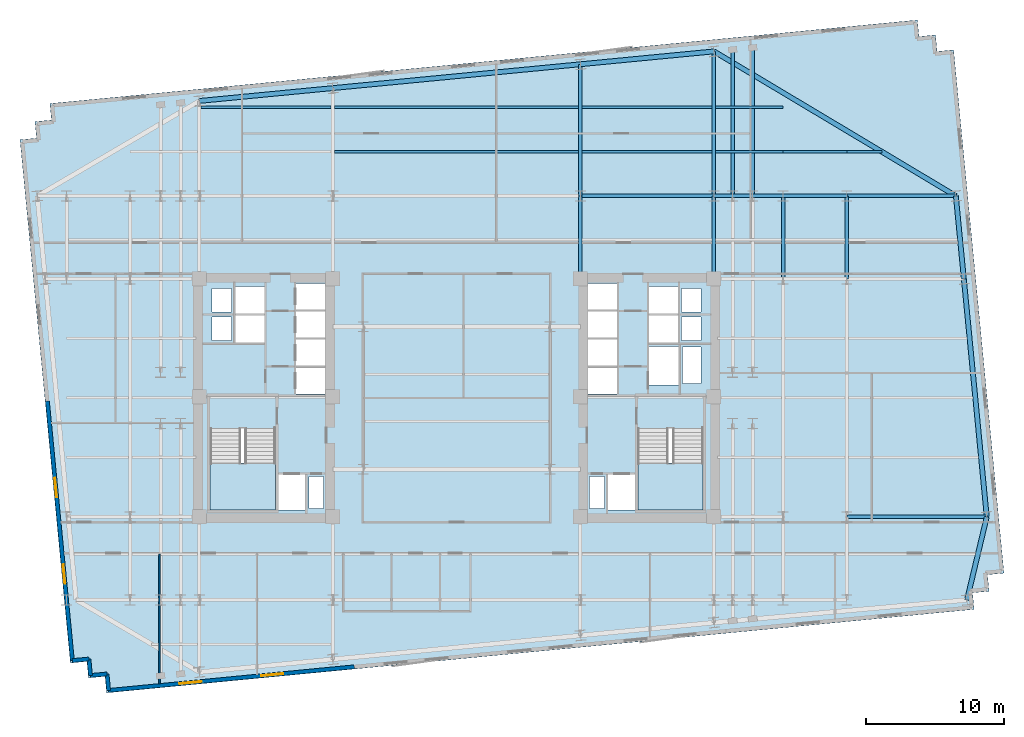
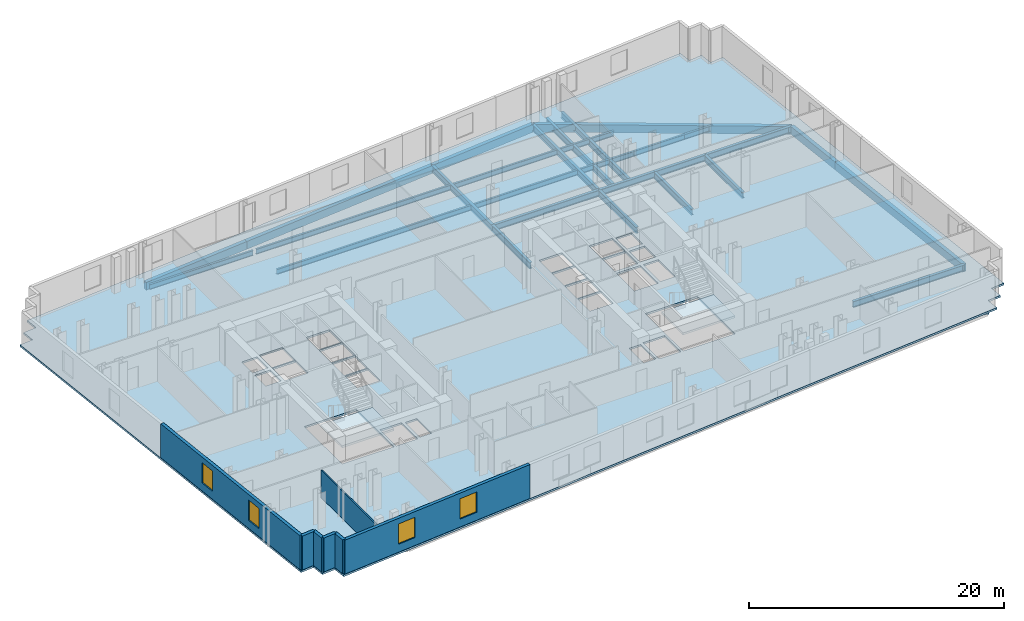
# One storey, part 3 of 10: 29 beams, 7 walls, 4 windows, 3 slabs, 4 openings, 2 elements without a shape of their own.
"""IFC4 building model written with IfcOpenShell, lengths in metres."""

from ifc_helpers import new_model, si_unit, direction, frame, frame_2d, origin, origin_2d, place, context, subcontext, project, spatial, polyline, rectangle, i_section, outline, extrude, material, layer, layer_set, material_profile, profile_set, type_object, element, fill, aggregate, save


model = new_model("IFC4")

# Units and contexts
model_context = context("Model", 3, precision=1e-05, world=origin(), true_north=direction((0.0, 1.0)))
body_context = subcontext(model_context, "Body", "Model", "MODEL_VIEW")
ifc_project = project(units=[si_unit("LENGTHUNIT", "METRE"), si_unit("AREAUNIT", "SQUARE_METRE"), si_unit("VOLUMEUNIT", "CUBIC_METRE"), si_unit("PLANEANGLEUNIT", "RADIAN"), si_unit("MASSUNIT", "GRAM", prefix="KILO")], contexts=[model_context])

# Site, building, storey
site_placement = place(None, origin())
site = spatial("IfcSite", under=ifc_project, at=site_placement, CompositionType="ELEMENT")
building_placement = place(site_placement, origin())
building = spatial("IfcBuilding", under=site, at=building_placement, Name="Velakula Bourse", CompositionType="ELEMENT")
storey_placement = place(building_placement, frame((0.0, 0.0, 94.89990234375)))
storey = spatial("IfcBuildingStorey", under=building, at=storey_placement, Name="L25", CompositionType="ELEMENT", Elevation=94.89990234375)

# Beams
ifc_material_1 = material(Name="Steel IS 2062 Grade 350 (E350)", Category="steel")
ifc_material_profile_1 = material_profile(ifc_material_1, i_section(OverallWidth=0.25, OverallDepth=0.60009765625, WebThickness=0.01171875, FlangeThickness=0.023681640625, at=origin_2d()), Name="Steel IS 2062 Grade 350 (E350)")
ifc_profile_set_1 = profile_set([ifc_material_profile_1], Name="Steel IS 2062 Grade 350 (E350)")
beam_type_1 = type_object("IfcBeamType", Name="BM-GRD-600H", PredefinedType="BEAM", material=ifc_profile_set_1)
for number, where, z_axis, x_axis, name in (
    (1, (8.949951171875, 8.60009765625, -0.47998046875), (0.0, 1.0, 0.0), (-1.0, 0.0, 0.0), "L25 Fulcrum Grid Girder FLC-ECN"),
    (2, (18.60009765625, 8.60009765625, -0.47998046875), (0.0, 1.0, 0.0), (-1.0, 0.0, 0.0), "L25 Fulcrum Grid Girder FLC-EN"),
):
    element("IfcBeam", number, at=place(storey_placement, frame(where, z_axis=z_axis, x_axis=x_axis)), inside=storey, type_object=beam_type_1, Name=name, PredefinedType="BEAM", context=body_context, shape_type="SweptSolid", body=[
        extrude(i_section(OverallWidth=0.25, OverallDepth=0.60009765625, WebThickness=0.01171875, FlangeThickness=0.023681640625, at=origin_2d()), origin(), (0.0, 0.0, 1.0), 6.0),
    ])
beam_1_placement = place(storey_placement, frame((8.949951171875, 14.60009765625, -0.47998046875), z_axis=(1.0, 0.0, 0.0), x_axis=(0.0, 1.0, 0.0)))
element("IfcBeam", 3, at=beam_1_placement, inside=storey, type_object=beam_type_1, Name="L25 Fulcrum Grid Girder FLC-N3", PredefinedType="BEAM", context=body_context, shape_type="SweptSolid", body=[
    extrude(i_section(OverallWidth=0.25, OverallDepth=0.60009765625, WebThickness=0.01171875, FlangeThickness=0.023681640625, at=origin_2d()), origin(), (0.0, 0.0, 1.0), 9.650146484375),
])
beam_2_placement = place(storey_placement, frame((18.60009765625, 14.60009765625, -0.47998046875), z_axis=(1.0, 0.0, 0.0), x_axis=(0.0, 1.0, 0.0)))
element("IfcBeam", 4, at=beam_2_placement, inside=storey, type_object=beam_type_1, Name="L25 Fulcrum Grid Girder MWG-EN2", PredefinedType="BEAM", context=body_context, shape_type="SweptSolid", body=[
    extrude(i_section(OverallWidth=0.25, OverallDepth=0.60009765625, WebThickness=0.01171875, FlangeThickness=0.023681640625, at=origin_2d()), origin(), (0.0, 0.0, 1.0), 5.0),
])
beam_3_placement = place(storey_placement, frame((23.60009765625, 8.60009765625, -0.47998046875), z_axis=(0.0, 1.0, 0.0), x_axis=(-1.0, 0.0, 0.0)))
element("IfcBeam", 5, at=beam_3_placement, inside=storey, type_object=beam_type_1, Name="L25 Fulcrum Grid Girder MWG-ENS3", PredefinedType="BEAM", context=body_context, shape_type="SweptSolid", body=[
    extrude(i_section(OverallWidth=0.25, OverallDepth=0.60009765625, WebThickness=0.01171875, FlangeThickness=0.023681640625, at=origin_2d()), origin(), (0.0, 0.0, 1.0), 6.0),
])
beam_4_placement = place(storey_placement, frame((23.60009765625, 14.60009765625, -0.47998046875), z_axis=(1.0, 0.0, 0.0), x_axis=(0.0, 1.0, 0.0)))
element("IfcBeam", 6, at=beam_4_placement, inside=storey, type_object=beam_type_1, Name="L25 Fulcrum Grid Girder WNG-EN2", PredefinedType="BEAM", context=body_context, shape_type="SweptSolid", body=[
    extrude(i_section(OverallWidth=0.25, OverallDepth=0.60009765625, WebThickness=0.01171875, FlangeThickness=0.023681640625, at=origin_2d()), origin(), (0.0, 0.0, 1.0), 4.599853515625),
])
beam_5_placement = place(storey_placement, frame((28.199951171875, 8.60009765625, -0.47998046875), z_axis=(0.0, 1.0, 0.0), x_axis=(-1.0, 0.0, 0.0)))
element("IfcBeam", 7, at=beam_5_placement, inside=storey, type_object=beam_type_1, Name="L25 Fulcrum Grid Girder WNG-ENS3", PredefinedType="BEAM", context=body_context, shape_type="SweptSolid", body=[
    extrude(i_section(OverallWidth=0.25, OverallDepth=0.60009765625, WebThickness=0.01171875, FlangeThickness=0.023681640625, at=origin_2d()), origin(), (0.0, 0.0, 1.0), 6.0),
])
beam_6_placement = place(storey_placement, frame((8.949951171875, 14.60009765625, -0.47998046875), z_axis=(0.0, 1.0, 0.0), x_axis=(-1.0, 0.0, 0.0)))
element("IfcBeam", 8, at=beam_6_placement, inside=storey, type_object=beam_type_1, Name="L25 Perimeter Tie Girder N3", PredefinedType="BEAM", context=body_context, shape_type="SweptSolid", body=[
    extrude(i_section(OverallWidth=0.25, OverallDepth=0.60009765625, WebThickness=0.01171875, FlangeThickness=0.023681640625, at=origin_2d()), origin(), (0.0, 0.0, 1.0), 9.521484375),
])
beam_7_placement = place(storey_placement, frame((18.60009765625, 14.60009765625, -0.47998046875), z_axis=(0.0, 1.0, 0.0), x_axis=(-1.0, 0.0, 0.0)))
element("IfcBeam", 9, at=beam_7_placement, inside=storey, type_object=beam_type_1, Name="L25 Perimeter Tie Girder N4", PredefinedType="BEAM", context=body_context, shape_type="SweptSolid", body=[
    extrude(i_section(OverallWidth=0.25, OverallDepth=0.60009765625, WebThickness=0.01171875, FlangeThickness=0.023681640625, at=origin_2d()), origin(), (0.0, 0.0, 1.0), 10.45068359375),
])
beam_8_placement = place(storey_placement, frame((28.199951171875, -8.60009765625, -0.47998046875), z_axis=(1.0, 0.0, 0.0), x_axis=(0.0, 1.0, 0.0)))
element("IfcBeam", 10, at=beam_8_placement, inside=storey, type_object=beam_type_1, Name="L25 Perimeter Tie Girder E2", PredefinedType="BEAM", context=body_context, shape_type="SweptSolid", body=[
    extrude(i_section(OverallWidth=0.25, OverallDepth=0.60009765625, WebThickness=0.01171875, FlangeThickness=0.023681640625, at=origin_2d()), origin(), (0.0, 0.0, 1.0), 10.119873046875),
])
beam_9_placement = place(storey_placement, frame((28.199951171875, 14.60009765625, -0.47998046875), z_axis=(1.0, 0.0, 0.0), x_axis=(0.0, 1.0, 0.0)))
element("IfcBeam", 11, at=beam_9_placement, inside=storey, type_object=beam_type_1, Name="L25 Perimeter Tie Girder E4", PredefinedType="BEAM", context=body_context, shape_type="SweptSolid", body=[
    extrude(i_section(OverallWidth=0.25, OverallDepth=0.60009765625, WebThickness=0.01171875, FlangeThickness=0.023681640625, at=origin_2d()), origin(), (0.0, 0.0, 1.0), 7.885986328125),
])
beam_10_placement = place(storey_placement, frame((19.949951171875, 14.60009765625, -0.47998046875), z_axis=(0.0, 1.0, 0.0), x_axis=(-1.0, 0.0, 0.0)))
element("IfcBeam", 12, at=beam_10_placement, inside=storey, type_object=beam_type_1, Name="L25 Perimeter Tie Girder P07", PredefinedType="BEAM", context=body_context, shape_type="SweptSolid", body=[
    extrude(i_section(OverallWidth=0.25, OverallDepth=0.60009765625, WebThickness=0.01171875, FlangeThickness=0.023681640625, at=origin_2d()), origin(), (0.0, 0.0, 1.0), 10.580810546875),
])
beam_11_placement = place(storey_placement, frame((21.39990234375, 14.60009765625, -0.47998046875), z_axis=(0.0, 1.0, 0.0), x_axis=(-1.0, 0.0, 0.0)))
element("IfcBeam", 13, at=beam_11_placement, inside=storey, type_object=beam_type_1, Name="L25 Perimeter Tie Girder P08", PredefinedType="BEAM", context=body_context, shape_type="SweptSolid", body=[
    extrude(i_section(OverallWidth=0.25, OverallDepth=0.60009765625, WebThickness=0.01171875, FlangeThickness=0.023681640625, at=origin_2d()), origin(), (0.0, 0.0, 1.0), 10.720458984375),
])
ifc_material_profile_2 = material_profile(ifc_material_1, i_section(OverallWidth=0.179931640625, OverallDepth=0.5, WebThickness=0.01025390625, FlangeThickness=0.01708984375, at=origin_2d()), Name="Steel IS 2062 Grade 350 (E350)")
ifc_profile_set_2 = profile_set([ifc_material_profile_2], Name="Steel IS 2062 Grade 350 (E350)")
beam_type_2 = type_object("IfcBeamType", Name="JST-TWR-500", PredefinedType="JOIST", material=ifc_profile_set_2)
beam_12_placement = place(storey_placement, frame((-8.824951171875, 17.800048828125, -0.429931640625), z_axis=(1.0, 0.0, 0.0), x_axis=(0.0, 1.0, 0.0)))
element("IfcBeam", 14, at=beam_12_placement, inside=storey, type_object=beam_type_2, Name="L25 Trading Floor Composite Joist 22", PredefinedType="JOIST", context=body_context, shape_type="SweptSolid", body=[
    extrude(i_section(OverallWidth=0.179931640625, OverallDepth=0.5, WebThickness=0.01025390625, FlangeThickness=0.01708984375, at=origin_2d()), origin(), (0.0, 0.0, 1.0), 17.64990234375),
])
beam_13_placement = place(storey_placement, frame((9.074951171875, 17.800048828125, -0.429931640625), z_axis=(1.0, 0.0, 0.0), x_axis=(0.0, 1.0, 0.0)))
element("IfcBeam", 15, at=beam_13_placement, inside=storey, type_object=beam_type_2, Name="L25 Trading Floor Composite Joist 23", PredefinedType="JOIST", context=body_context, shape_type="SweptSolid", body=[
    extrude(i_section(OverallWidth=0.179931640625, OverallDepth=0.5, WebThickness=0.01025390625, FlangeThickness=0.01708984375, at=origin_2d()), origin(), (0.0, 0.0, 1.0), 9.400146484375),
])
beam_14_placement = place(storey_placement, frame((18.72509765625, 17.800048828125, -0.429931640625), z_axis=(1.0, 0.0, 0.0), x_axis=(0.0, 1.0, 0.0)))
element("IfcBeam", 16, at=beam_14_placement, inside=storey, type_object=beam_type_2, Name="L25 Trading Floor Composite Joist 24", PredefinedType="JOIST", context=body_context, shape_type="SweptSolid", body=[
    extrude(i_section(OverallWidth=0.179931640625, OverallDepth=0.5, WebThickness=0.01025390625, FlangeThickness=0.01708984375, at=origin_2d()), origin(), (0.0, 0.0, 1.0), 4.875),
])
beam_15_placement = place(storey_placement, frame((23.60009765625, 17.800048828125, -0.429931640625), z_axis=(1.0, 0.0, 0.0), x_axis=(0.0, 1.0, 0.0)))
element("IfcBeam", 17, at=beam_15_placement, inside=storey, type_object=beam_type_2, Name="L25 Trading Floor Composite Joist 25", PredefinedType="JOIST", context=body_context, shape_type="SweptSolid", body=[
    extrude(i_section(OverallWidth=0.179931640625, OverallDepth=0.5, WebThickness=0.01025390625, FlangeThickness=0.01708984375, at=origin_2d()), origin(), (0.0, 0.0, 1.0), 4.599853515625),
])
beam_16_placement = place(storey_placement, frame((28.199951171875, 17.800048828125, -0.429931640625), z_axis=(1.0, 0.0, 0.0), x_axis=(0.0, 1.0, 0.0)))
element("IfcBeam", 18, at=beam_16_placement, inside=storey, type_object=beam_type_2, Name="L25 Trading Floor Composite Joist 26", PredefinedType="JOIST", context=body_context, shape_type="SweptSolid", body=[
    extrude(i_section(OverallWidth=0.179931640625, OverallDepth=0.5, WebThickness=0.01025390625, FlangeThickness=0.01708984375, at=origin_2d()), origin(), (0.0, 0.0, 1.0), 2.53173828125),
])
beam_17_placement = place(storey_placement, frame((-18.47509765625, 21.0, -0.429931640625), z_axis=(1.0, 0.0, 0.0), x_axis=(0.0, 1.0, 0.0)))
element("IfcBeam", 19, at=beam_17_placement, inside=storey, type_object=beam_type_2, Name="L25 Trading Floor Composite Joist 27", PredefinedType="JOIST", context=body_context, shape_type="SweptSolid", body=[
    extrude(i_section(OverallWidth=0.179931640625, OverallDepth=0.5, WebThickness=0.01025390625, FlangeThickness=0.01708984375, at=origin_2d()), origin(), (0.0, 0.0, 1.0), 9.400146484375),
])
beam_18_placement = place(storey_placement, frame((-8.824951171875, 21.0, -0.429931640625), z_axis=(1.0, 0.0, 0.0), x_axis=(0.0, 1.0, 0.0)))
element("IfcBeam", 20, at=beam_18_placement, inside=storey, type_object=beam_type_2, Name="L25 Trading Floor Composite Joist 28", PredefinedType="JOIST", context=body_context, shape_type="SweptSolid", body=[
    extrude(i_section(OverallWidth=0.179931640625, OverallDepth=0.5, WebThickness=0.01025390625, FlangeThickness=0.01708984375, at=origin_2d()), origin(), (0.0, 0.0, 1.0), 17.64990234375),
])
beam_19_placement = place(storey_placement, frame((9.074951171875, 21.0, -0.429931640625), z_axis=(1.0, 0.0, 0.0), x_axis=(0.0, 1.0, 0.0)))
element("IfcBeam", 21, at=beam_19_placement, inside=storey, type_object=beam_type_2, Name="L25 Trading Floor Composite Joist 29", PredefinedType="JOIST", context=body_context, shape_type="SweptSolid", body=[
    extrude(i_section(OverallWidth=0.179931640625, OverallDepth=0.5, WebThickness=0.01025390625, FlangeThickness=0.01708984375, at=origin_2d()), origin(), (0.0, 0.0, 1.0), 9.400146484375),
])
beam_20_placement = place(storey_placement, frame((18.72509765625, 21.0, -0.429931640625), z_axis=(1.0, 0.0, 0.0), x_axis=(0.0, 1.0, 0.0)))
element("IfcBeam", 22, at=beam_20_placement, inside=storey, type_object=beam_type_2, Name="L25 Trading Floor Composite Joist 30", PredefinedType="JOIST", context=body_context, shape_type="SweptSolid", body=[
    extrude(i_section(OverallWidth=0.179931640625, OverallDepth=0.5, WebThickness=0.01025390625, FlangeThickness=0.01708984375, at=origin_2d()), origin(), (0.0, 0.0, 1.0), 4.875),
])
ifc_material_2 = material(Name="Precast concrete M45 (fck 45 MPa)", Category="concrete")
ifc_material_profile_3 = material_profile(ifc_material_2, rectangle(XDim=0.35009765625, YDim=0.75, at=origin_2d()), Name="Precast concrete M45 (fck 45 MPa)")
ifc_profile_set_3 = profile_set([ifc_material_profile_3], Name="Precast concrete M45 (fck 45 MPa)")
beam_type_3 = type_object("IfcBeamType", Name="SPN-BRICK-750", PredefinedType="SPANDREL", material=ifc_profile_set_3)
beam_21_placement = place(storey_placement, frame((-18.60009765625, 21.468994140625, -0.554931640625), z_axis=(0.99539623971, 0.095845323155, 0.0), x_axis=(-0.095845323155, 0.99539623971, 0.0)))
element("IfcBeam", 23, at=beam_21_placement, inside=storey, type_object=beam_type_3, Name="L25 Brick-Faced Precast Spandrel N1-N2", PredefinedType="SPANDREL", context=body_context, shape_type="SweptSolid", body=[
    extrude(rectangle(XDim=0.35009765625, YDim=0.75, at=origin_2d()), origin(), (0.0, 0.0, 1.0), 9.69482421875),
])
beam_22_placement = place(storey_placement, frame((-8.949951171875, 22.398193359375, -0.554931640625), z_axis=(0.995397131467, 0.095836061418, 0.0), x_axis=(-0.095836061418, 0.995397131467, 0.0)))
element("IfcBeam", 24, at=beam_22_placement, inside=storey, type_object=beam_type_3, Name="L25 Brick-Faced Precast Spandrel N2-N3", PredefinedType="SPANDREL", context=body_context, shape_type="SweptSolid", body=[
    extrude(rectangle(XDim=0.35009765625, YDim=0.75, at=origin_2d()), origin(), (0.0, 0.0, 1.0), 17.982666015625),
])
beam_23_placement = place(storey_placement, frame((8.949951171875, 24.12158203125, -0.554931640625), z_axis=(0.99539623971, 0.095845323155, 0.0), x_axis=(-0.095845323155, 0.99539623971, 0.0)))
element("IfcBeam", 25, at=beam_23_placement, inside=storey, type_object=beam_type_3, Name="L25 Brick-Faced Precast Spandrel N3-N4", PredefinedType="SPANDREL", context=body_context, shape_type="SweptSolid", body=[
    extrude(rectangle(XDim=0.35009765625, YDim=0.75, at=origin_2d()), origin(), (0.0, 0.0, 1.0), 9.69482421875),
])
beam_24_placement = place(storey_placement, frame((36.88818359375, -14.60009765625, -0.554931640625), z_axis=(0.232091371601, 0.972693988482, 0.0), x_axis=(-0.972693988482, 0.232091371601, 0.0)))
element("IfcBeam", 26, at=beam_24_placement, inside=storey, type_object=beam_type_3, Name="L25 Brick-Faced Precast Spandrel E1-E2", PredefinedType="SPANDREL", context=body_context, shape_type="SweptSolid", body=[
    extrude(rectangle(XDim=0.35009765625, YDim=0.75, at=origin_2d()), origin(), (0.0, 0.0, 1.0), 6.16845703125),
])
beam_25_placement = place(storey_placement, frame((38.31982421875, -8.60009765625, -0.554931640625), z_axis=(-0.095849167925, 0.995395869495, 0.0), x_axis=(-0.995395869495, -0.095849167925, 0.0)))
element("IfcBeam", 27, at=beam_25_placement, inside=storey, type_object=beam_type_3, Name="L25 Brick-Faced Precast Spandrel E2-E3", PredefinedType="SPANDREL", context=body_context, shape_type="SweptSolid", body=[
    extrude(rectangle(XDim=0.35009765625, YDim=0.75, at=origin_2d()), origin(), (0.0, 0.0, 1.0), 17.27978515625),
])
beam_26_placement = place(storey_placement, frame((36.66357421875, 8.60009765625, -0.554931640625), z_axis=(-0.095829714309, 0.995397742541, 0.0), x_axis=(-0.995397742541, -0.095829714309, 0.0)))
element("IfcBeam", 28, at=beam_26_placement, inside=storey, type_object=beam_type_3, Name="L25 Brick-Faced Precast Spandrel E3-E4", PredefinedType="SPANDREL", context=body_context, shape_type="SweptSolid", body=[
    extrude(rectangle(XDim=0.35009765625, YDim=0.75, at=origin_2d()), origin(), (0.0, 0.0, 1.0), 6.02783203125),
])
beam_27_placement = place(storey_placement, frame((36.0859375, 14.60009765625, -0.554931640625), z_axis=(-0.858375715449, 0.513021569846, 0.0), x_axis=(-0.513021569846, -0.858375715449, 0.0)))
element("IfcBeam", 29, at=beam_27_placement, inside=storey, type_object=beam_type_3, Name="L25 Brick-Faced Precast Spandrel E4-N4", PredefinedType="SPANDREL", context=body_context, shape_type="SweptSolid", body=[
    extrude(rectangle(XDim=0.35009765625, YDim=0.75, at=origin_2d()), origin(), (0.0, 0.0, 1.0), 20.370849609375),
])

# Stair, slab
ifc_material_3 = material(Name="Concrete M45 (fck 45 MPa)", Category="concrete")
stair_type = type_object("IfcStairType", Name="STR-DOG-390", PredefinedType="HALF_TURN_STAIR", material=ifc_material_3)
stair_1_placement = place(storey_placement, origin())
stair_1 = element("IfcStair", 30, at=stair_1_placement, inside=storey, type_object=stair_type, Name="L25 West Core Exit Stair ST-W1", PredefinedType="HALF_TURN_STAIR")
ifc_layer_1 = layer(ifc_material_3, 0.199951171875, Name="Concrete M45 (fck 45 MPa)", Category="concrete")
ifc_layer_set_1 = layer_set([ifc_layer_1], Name="Concrete M45 (fck 45 MPa)")
slab_type_1 = type_object("IfcSlabType", Name="SLB-STAIR-LND-200", PredefinedType="LANDING", material=ifc_layer_set_1)
slab_1_placement = place(storey_placement, frame((0.0, 0.0, 1.525146484375)))
slab_1 = element("IfcSlab", 31, at=slab_1_placement, type_object=slab_type_1, Name="ST-W1 landing 1", PredefinedType="LANDING", context=body_context, shape_type="SweptSolid", body=[
    extrude(outline(polyline([(-17.820068359375, -4.719970703125), (-17.820068359375, -8.10009765625), (-13.10009765625, -8.10009765625), (-13.10009765625, -4.719970703125), (-17.820068359375, -4.719970703125)])), origin(), (0.0, 0.0, 1.0), 0.199951171875),
])
aggregate(stair_1, [slab_1])

stair_2_placement = place(storey_placement, origin())
stair_2 = element("IfcStair", 32, at=stair_2_placement, inside=storey, type_object=stair_type, Name="L25 East Core Exit Stair ST-E1", PredefinedType="HALF_TURN_STAIR")
slab_2_placement = place(storey_placement, frame((0.0, 0.0, 1.525146484375)))
slab_2 = element("IfcSlab", 33, at=slab_2_placement, type_object=slab_type_1, Name="ST-E1 landing 1", PredefinedType="LANDING", context=body_context, shape_type="SweptSolid", body=[
    extrude(outline(polyline([(13.10009765625, -4.719970703125), (13.10009765625, -8.10009765625), (17.820068359375, -8.10009765625), (17.820068359375, -4.719970703125), (13.10009765625, -4.719970703125)])), origin(), (0.0, 0.0, 1.0), 0.199951171875),
])
aggregate(stair_2, [slab_2])

# Slab
ifc_material_4 = material(Name="Concrete M50 (fck 50 MPa)", Category="concrete")
ifc_layer_2 = layer(ifc_material_4, 0.179931640625, Name="Concrete M50 (fck 50 MPa)", Category="concrete")
ifc_layer_set_2 = layer_set([ifc_layer_2], Name="Concrete M50 (fck 50 MPa)")
slab_type_2 = type_object("IfcSlabType", Name="SLB-TWR-180", PredefinedType="FLOOR", material=ifc_layer_set_2)
slab_3_placement = place(storey_placement, frame((0.0, 0.0, -0.179931640625)))
element("IfcSlab", 34, at=slab_3_placement, inside=storey, type_object=slab_type_2, Name="L25 Suspended Structural Floor Slab", PredefinedType="FLOOR", context=body_context, shape_type="SweptSolid", body=[
    extrude(outline(polyline([(-25.303955078125, -21.320556640625), (37.406005859375, -15.2822265625), (37.291015625, -14.087890625), (38.485595703125, -13.972900390625), (38.37060546875, -12.7783203125), (39.56494140625, -12.663330078125), (35.9228515625, 25.16162109375), (34.728271484375, 25.046630859375), (34.61328125, 26.2412109375), (33.4189453125, 26.126220703125), (33.303955078125, 27.320556640625), (-29.406005859375, 21.2822265625), (-29.291015625, 20.087890625), (-30.485595703125, 19.972900390625), (-30.37060546875, 18.7783203125), (-31.56494140625, 18.663330078125), (-27.9228515625, -19.16162109375), (-26.728271484375, -19.046630859375), (-26.61328125, -20.2412109375), (-25.4189453125, -20.126220703125), (-25.303955078125, -21.320556640625)]), holes=[polyline([(-17.820068359375, -8.10009765625), (-13.10009765625, -8.10009765625), (-13.10009765625, -2.199951171875), (-17.820068359375, -2.199951171875), (-17.820068359375, -8.10009765625)]), polyline([(13.10009765625, -8.10009765625), (17.820068359375, -8.10009765625), (17.820068359375, -2.199951171875), (13.10009765625, -2.199951171875), (13.10009765625, -8.10009765625)]), polyline([(-12.89990234375, -8.10009765625), (-10.949951171875, -8.10009765625), (-10.949951171875, -5.550048828125), (-12.89990234375, -5.550048828125), (-12.89990234375, -8.10009765625)]), polyline([(10.949951171875, -8.10009765625), (12.89990234375, -8.10009765625), (12.89990234375, -5.550048828125), (10.949951171875, -5.550048828125), (10.949951171875, -8.10009765625)]), polyline([(13.89990234375, 0.919921875), (16.050048828125, 0.919921875), (16.050048828125, 3.719970703125), (13.89990234375, 3.719970703125), (13.89990234375, 0.919921875)]), polyline([(-10.679931640625, -7.97998046875), (-9.6201171875, -7.97998046875), (-9.6201171875, -5.669921875), (-10.679931640625, -5.669921875), (-10.679931640625, -7.97998046875)]), polyline([(-17.679931640625, 4.139892578125), (-16.27001953125, 4.139892578125), (-16.27001953125, 5.85009765625), (-17.679931640625, 5.85009765625), (-17.679931640625, 4.139892578125)]), polyline([(-17.679931640625, 6.2099609375), (-16.27001953125, 6.2099609375), (-16.27001953125, 7.919921875), (-17.679931640625, 7.919921875), (-17.679931640625, 6.2099609375)]), polyline([(9.6201171875, -7.97998046875), (10.679931640625, -7.97998046875), (10.679931640625, -5.669921875), (9.6201171875, -5.669921875), (9.6201171875, -7.97998046875)]), polyline([(16.27001953125, 4.139892578125), (17.679931640625, 4.139892578125), (17.679931640625, 5.85009765625), (16.27001953125, 5.85009765625), (16.27001953125, 4.139892578125)]), polyline([(16.27001953125, 6.2099609375), (17.679931640625, 6.2099609375), (17.679931640625, 7.919921875), (16.27001953125, 7.919921875), (16.27001953125, 6.2099609375)]), polyline([(16.320068359375, 1.0400390625), (17.679931640625, 1.0400390625), (17.679931640625, 3.699951171875), (16.320068359375, 3.699951171875), (16.320068359375, 1.0400390625)]), polyline([(-11.60009765625, 0.280029296875), (-9.5, 0.280029296875), (-9.5, 2.199951171875), (-11.60009765625, 2.199951171875), (-11.60009765625, 0.280029296875)]), polyline([(-11.60009765625, 2.31005859375), (-9.5, 2.31005859375), (-9.5, 4.22998046875), (-11.60009765625, 4.22998046875), (-11.60009765625, 2.31005859375)]), polyline([(-11.60009765625, 4.340087890625), (-9.5, 4.340087890625), (-9.5, 6.260009765625), (-11.60009765625, 6.260009765625), (-11.60009765625, 4.340087890625)]), polyline([(-11.60009765625, 6.3701171875), (-9.5, 6.3701171875), (-9.5, 8.2900390625), (-11.60009765625, 8.2900390625), (-11.60009765625, 6.3701171875)]), polyline([(9.5, 0.280029296875), (11.60009765625, 0.280029296875), (11.60009765625, 2.199951171875), (9.5, 2.199951171875), (9.5, 0.280029296875)]), polyline([(9.5, 2.31005859375), (11.60009765625, 2.31005859375), (11.60009765625, 4.22998046875), (9.5, 4.22998046875), (9.5, 2.31005859375)]), polyline([(9.5, 4.340087890625), (11.60009765625, 4.340087890625), (11.60009765625, 6.260009765625), (9.5, 6.260009765625), (9.5, 4.340087890625)]), polyline([(9.5, 6.3701171875), (11.60009765625, 6.3701171875), (11.60009765625, 8.2900390625), (9.5, 8.2900390625), (9.5, 6.3701171875)]), polyline([(-16.0, 4.02001953125), (-13.89990234375, 4.02001953125), (-13.89990234375, 5.969970703125), (-16.0, 5.969970703125), (-16.0, 4.02001953125)]), polyline([(-16.0, 6.090087890625), (-13.89990234375, 6.090087890625), (-13.89990234375, 8.0400390625), (-16.0, 8.0400390625), (-16.0, 6.090087890625)]), polyline([(13.89990234375, 4.02001953125), (16.0, 4.02001953125), (16.0, 5.969970703125), (13.89990234375, 5.969970703125), (13.89990234375, 4.02001953125)]), polyline([(13.89990234375, 6.090087890625), (16.0, 6.090087890625), (16.0, 8.0400390625), (13.89990234375, 8.0400390625), (13.89990234375, 6.090087890625)])]), origin(), (0.0, 0.0, 1.0), 0.179931640625),
])

# Wall, openings, windows
ifc_material_5 = material(Name="Red kilned clay facing brick masonry", Category="masonry")
ifc_layer_3 = layer(ifc_material_5, 0.280029296875, Name="Red kilned clay facing brick masonry", Category="masonry")
ifc_layer_set_3 = layer_set([ifc_layer_3], Name="Red kilned clay facing brick masonry")
wall_type_1 = type_object("IfcWallType", Name="WL-EXT-BRK-280", PredefinedType="STANDARD", material=ifc_layer_set_3)
wall_1_placement = place(storey_placement, frame((-7.402099609375, -19.43603515625, 0.0), z_axis=(0.0, 0.0, 1.0), x_axis=(-0.995395780835, -0.095850088663, 0.0)))
wall_1 = element("IfcWall", 35, at=wall_1_placement, inside=storey, type_object=wall_type_1, Name="L25 S Brick Spandrel Wall B1", PredefinedType="STANDARD", context=body_context, shape_type="SweptSolid", body=[
    extrude(rectangle(XDim=17.83984375, YDim=0.280029296875, at=frame_2d((8.919921875, 0.0))), origin(), (0.0, 0.0, 1.0), 3.25),
])
opening_1_placement = place(wall_1_placement, frame((5.146728515625, 0.0, 0.760009765625)))
opening_1 = element("IfcOpeningElement", 36, at=opening_1_placement, cuts=wall_1, Name="Opening W-02", PredefinedType="OPENING", context=body_context, shape_type="SweptSolid", body=[
    extrude(rectangle(XDim=1.60009765625, YDim=1.949951171875, at=frame_2d((0.800048828125, 0.97509765625))), frame((0.0, 0.14990234375, 0.0), z_axis=(0.0, -1.0, 0.0), x_axis=(1.0, 0.0, 0.0)), (0.0, 0.0, 1.0), 0.300048828125),
])
opening_2_placement = place(wall_1_placement, frame((11.09326171875, 0.0, 0.760009765625)))
opening_2 = element("IfcOpeningElement", 37, at=opening_2_placement, cuts=wall_1, Name="Opening W-02", PredefinedType="OPENING", context=body_context, shape_type="SweptSolid", body=[
    extrude(rectangle(XDim=1.60009765625, YDim=1.949951171875, at=frame_2d((0.800048828125, 0.97509765625))), frame((0.0, 0.14990234375, 0.0), z_axis=(0.0, -1.0, 0.0), x_axis=(1.0, 0.0, 0.0)), (0.0, 0.0, 1.0), 0.300048828125),
])
ifc_material_6 = material(Name="Double-glazed solar-control Low-E glass", Category="glass")
window_type_1 = type_object("IfcWindowType", Name="WIN-TWR-1600x2100", PartitioningType="SINGLE_PANEL", PredefinedType="WINDOW", material=ifc_material_6)
window_1_placement = place(opening_1_placement, origin())
window_1 = element("IfcWindow", 38, at=window_1_placement, inside=storey, type_object=window_type_1, Name="L25 Deep-Set Recessed Window 1", OverallHeight=1.949951171875, OverallWidth=1.60009765625, PartitioningType="SINGLE_PANEL", PredefinedType="WINDOW", context=body_context, shape_type="SweptSolid", body=[
    extrude(rectangle(XDim=1.60009765625, YDim=1.949951171875, at=frame_2d((0.800048828125, 0.97509765625))), frame((0.0, 0.030029296875, 0.0), z_axis=(0.0, -1.0, 0.0), x_axis=(1.0, 0.0, 0.0)), (0.0, 0.0, 1.0), 0.06005859375),
])
fill(opening_1, window_1)
window_2_placement = place(opening_2_placement, origin())
window_2 = element("IfcWindow", 39, at=window_2_placement, inside=storey, type_object=window_type_1, Name="L25 Deep-Set Recessed Window 2", OverallHeight=1.949951171875, OverallWidth=1.60009765625, PartitioningType="SINGLE_PANEL", PredefinedType="WINDOW", context=body_context, shape_type="SweptSolid", body=[
    extrude(rectangle(XDim=1.60009765625, YDim=1.949951171875, at=frame_2d((0.800048828125, 0.97509765625))), frame((0.0, 0.030029296875, 0.0), z_axis=(0.0, -1.0, 0.0), x_axis=(1.0, 0.0, 0.0)), (0.0, 0.0, 1.0), 0.06005859375),
])
fill(opening_2, window_2)

wall_2_placement = place(storey_placement, frame((-27.779052734375, -18.987060546875, 0.0), z_axis=(0.0, 0.0, 1.0), x_axis=(-0.095842534142, 0.995396508256, 0.0)))
wall_2 = element("IfcWall", 40, at=wall_2_placement, inside=storey, type_object=wall_type_1, Name="L25 W Brick End Wall W1", PredefinedType="STANDARD", context=body_context, shape_type="SweptSolid", body=[
    extrude(rectangle(XDim=18.83984375, YDim=0.280029296875, at=frame_2d((9.419921875, 0.0))), origin(), (0.0, 0.0, 1.0), 3.25),
])
opening_3_placement = place(wall_2_placement, frame((5.580078125, 0.0, 0.760009765625)))
opening_3 = element("IfcOpeningElement", 41, at=opening_3_placement, cuts=wall_2, Name="Opening W-03", PredefinedType="OPENING", context=body_context, shape_type="SweptSolid", body=[
    extrude(rectangle(XDim=1.39990234375, YDim=1.949951171875, at=frame_2d((0.699951171875, 0.97509765625))), frame((0.0, 0.14990234375, 0.0), z_axis=(0.0, -1.0, 0.0), x_axis=(1.0, 0.0, 0.0)), (0.0, 0.0, 1.0), 0.300048828125),
])
opening_4_placement = place(wall_2_placement, frame((11.860107421875, 0.0, 0.760009765625)))
opening_4 = element("IfcOpeningElement", 42, at=opening_4_placement, cuts=wall_2, Name="Opening W-03", PredefinedType="OPENING", context=body_context, shape_type="SweptSolid", body=[
    extrude(rectangle(XDim=1.39990234375, YDim=1.949951171875, at=frame_2d((0.699951171875, 0.97509765625))), frame((0.0, 0.14990234375, 0.0), z_axis=(0.0, -1.0, 0.0), x_axis=(1.0, 0.0, 0.0)), (0.0, 0.0, 1.0), 0.300048828125),
])
window_type_2 = type_object("IfcWindowType", Name="WIN-TWR-1400x2100", PartitioningType="SINGLE_PANEL", PredefinedType="WINDOW", material=ifc_material_6)
window_3_placement = place(opening_3_placement, origin())
window_3 = element("IfcWindow", 43, at=window_3_placement, inside=storey, type_object=window_type_2, Name="L25 Deep-Set Recessed Window 1", OverallHeight=1.949951171875, OverallWidth=1.39990234375, PartitioningType="SINGLE_PANEL", PredefinedType="WINDOW", context=body_context, shape_type="SweptSolid", body=[
    extrude(rectangle(XDim=1.39990234375, YDim=1.949951171875, at=frame_2d((0.699951171875, 0.97509765625))), frame((0.0, 0.030029296875, 0.0), z_axis=(0.0, -1.0, 0.0), x_axis=(1.0, 0.0, 0.0)), (0.0, 0.0, 1.0), 0.06005859375),
])
fill(opening_3, window_3)
window_4_placement = place(opening_4_placement, origin())
window_4 = element("IfcWindow", 44, at=window_4_placement, inside=storey, type_object=window_type_2, Name="L25 Deep-Set Recessed Window 2", OverallHeight=1.949951171875, OverallWidth=1.39990234375, PartitioningType="SINGLE_PANEL", PredefinedType="WINDOW", context=body_context, shape_type="SweptSolid", body=[
    extrude(rectangle(XDim=1.39990234375, YDim=1.949951171875, at=frame_2d((0.699951171875, 0.97509765625))), frame((0.0, 0.030029296875, 0.0), z_axis=(0.0, -1.0, 0.0), x_axis=(1.0, 0.0, 0.0)), (0.0, 0.0, 1.0), 0.06005859375),
])
fill(opening_4, window_4)

# Walls
for number, where, z_axis, x_axis, name in (
    (45, (-27.779052734375, -18.987060546875, 0.0), (0.0, 0.0, 1.0), (0.995398960025, 0.095817067274, 0.0), "L25 Serrated Corner Brick Wall SW-1"),
    (46, (-26.58447265625, -18.8720703125, 0.0), (0.0, 0.0, 1.0), (0.095817067274, -0.995398960025, 0.0), "L25 Serrated Corner Brick Wall SW-2"),
    (47, (-26.469482421875, -20.066650390625, 0.0), (0.0, 0.0, 1.0), (0.995398960025, 0.095817067274, 0.0), "L25 Serrated Corner Brick Wall SW-3"),
):
    element("IfcWall", number, at=place(storey_placement, frame(where, z_axis=z_axis, x_axis=x_axis)), inside=storey, type_object=wall_type_1, Name=name, PredefinedType="STANDARD", context=body_context, shape_type="SweptSolid", body=[
        extrude(rectangle(XDim=1.2001953125, YDim=0.280029296875, at=frame_2d((0.60009765625, 0.0))), origin(), (0.0, 0.0, 1.0), 3.25),
    ])
wall_3_placement = place(storey_placement, frame((-25.27490234375, -19.95166015625, 0.0), z_axis=(0.0, 0.0, 1.0), x_axis=(0.095836473879, -0.995397091755, 0.0)))
element("IfcWall", 48, at=wall_3_placement, inside=storey, type_object=wall_type_1, Name="L25 Serrated Corner Brick Wall SW-4", PredefinedType="STANDARD", context=body_context, shape_type="SweptSolid", body=[
    extrude(rectangle(XDim=1.199951171875, YDim=0.280029296875, at=frame_2d((0.60009765625, 0.0))), origin(), (0.0, 0.0, 1.0), 3.25),
])
ifc_material_7 = material(Name="Fire-rated double-layer gypsum drywall partition", Category="gypsum")
ifc_layer_4 = layer(ifc_material_7, 0.1201171875, Name="Fire-rated double-layer gypsum drywall partition", Category="gypsum")
ifc_layer_set_4 = layer_set([ifc_layer_4], Name="Fire-rated double-layer gypsum drywall partition")
wall_type_2 = type_object("IfcWallType", Name="WL-PART-120", PredefinedType="STANDARD", material=ifc_layer_set_4)
wall_4_placement = place(storey_placement, frame((-21.491943359375, -20.67236328125, 0.0), z_axis=(0.0, 0.0, 1.0), x_axis=(0.0, 1.0, 0.0)))
element("IfcWall", 49, at=wall_4_placement, inside=storey, type_object=wall_type_2, Name="L25 Interior Partition WL-INT-L25-SL-D5", PredefinedType="STANDARD", context=body_context, shape_type="SweptSolid", body=[
    extrude(rectangle(XDim=9.38232421875, YDim=0.1201171875, at=frame_2d((4.691162109375, 0.0))), origin(), (0.0, 0.0, 1.0), 2.64501953125),
])

save(model, "model.ifc")
